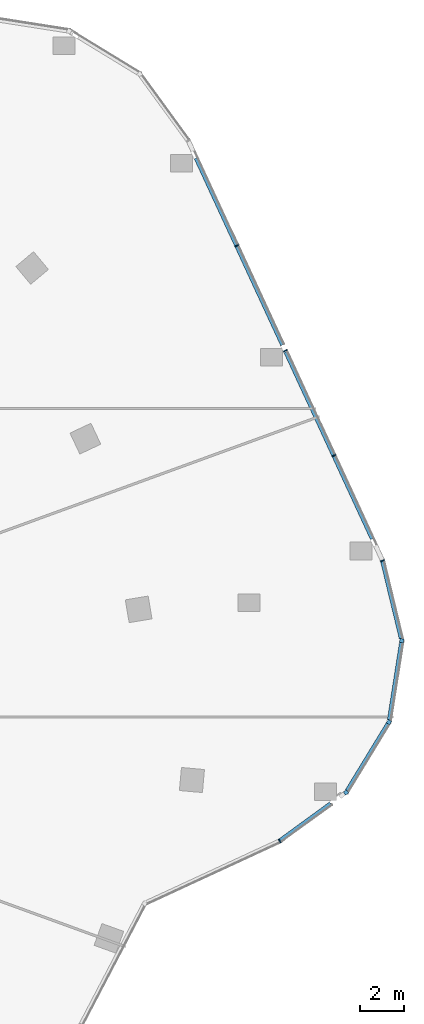
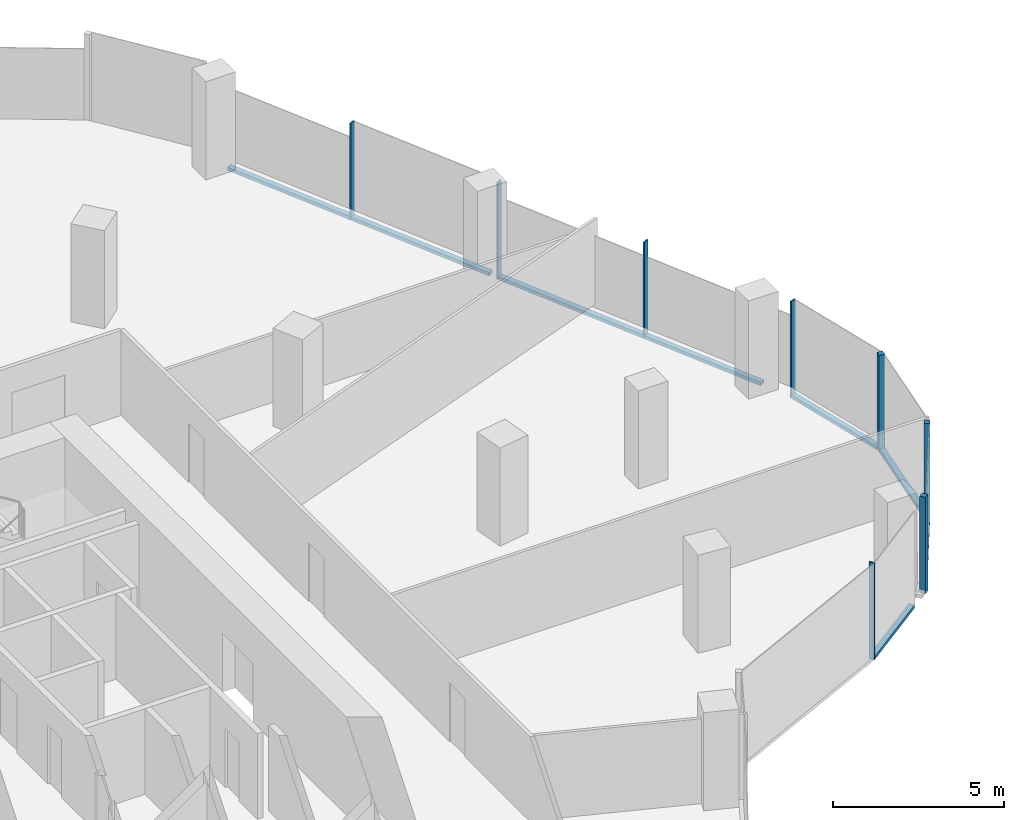
# One storey, part 10 of 24: 14 members, 6 elements without a shape of their own.
"""IFC4 building model written with IfcOpenShell, lengths in metres."""

import ifcopenshell
import ifcopenshell.guid

model = None  # the IFC model being written
_history = None  # IfcOwnerHistory: only IFC2X3 demands one
_inside = {}  # id of a spatial element -> (the spatial element, [elements in it])
_under = {}  # id of a project, library or spatial element -> (it, [spatial elements below it])
_declared = {}  # id of a project -> (the project, [libraries it declares])
_typed = {}  # id of a type object -> (the type object, [elements of that type])
_made_of = {}  # id of a material, layer set ... -> (it, [elements and type objects made of it])


def new_model(schema):
    """Start an empty IFC model of exactly this schema.

    Asked for "IFC4X3", IfcOpenShell would pick the latest addendum, in which some entities
    have other attributes; the version numbers below select the first issue.
    IFC2X3 requires an IfcOwnerHistory on every rooted entity: one is made here for all.
    """
    global model, _history
    if schema == "IFC4X3":
        model = ifcopenshell.file(schema_version=(4, 3, 0, 0))
    else:
        model = ifcopenshell.file(schema=schema)
    _inside.clear()
    _under.clear()
    _declared.clear()
    _typed.clear()
    _made_of.clear()
    _history = None
    if model.schema == "IFC2X3":
        org = make("IfcOrganization", Name="unknown")
        user = make(
            "IfcPersonAndOrganization",
            ThePerson=make("IfcPerson", FamilyName="unknown"),
            TheOrganization=org,
        )
        app = make(
            "IfcApplication",
            ApplicationDeveloper=org,
            Version="unknown",
            ApplicationFullName="unknown",
            ApplicationIdentifier="unknown",
        )
        _history = make(
            "IfcOwnerHistory",
            OwningUser=user,
            OwningApplication=app,
            ChangeAction="ADDED",
            CreationDate=0,
        )
    return model


def make(cls, **values):
    """One entity of the class cls with the attributes given. An attribute that is None is left unset."""
    return model.create_entity(
        cls, **{name: value for name, value in values.items() if value is not None}
    )


def rooted(cls, **values):
    """An entity with a GlobalId (a new one), such as an element, a storey or a relation."""
    return make(cls, GlobalId=ifcopenshell.guid.new(), OwnerHistory=_history, **values)


def si_unit(unit_type, name, prefix=None):
    """IfcSIUnit, for example si_unit("LENGTHUNIT", "METRE", prefix="MILLI")."""
    return make("IfcSIUnit", UnitType=unit_type, Prefix=prefix, Name=name)


def assignment(units):
    """IfcUnitAssignment: the units of a project."""
    return None if units is None else make("IfcUnitAssignment", Units=units)


def point(xyz):
    """IfcCartesianPoint."""
    return None if xyz is None else make("IfcCartesianPoint", Coordinates=xyz)


def direction(xyz):
    """IfcDirection."""
    return None if xyz is None else make("IfcDirection", DirectionRatios=xyz)


def frame(location, z_axis=None, x_axis=None):
    """IfcAxis2Placement3D, a coordinate frame: its origin and axes. An axis left out is left unset."""
    return make(
        "IfcAxis2Placement3D",
        Location=point(location),
        Axis=direction(z_axis),
        RefDirection=direction(x_axis),
    )


def frame_2d(location, x_axis=None):
    """IfcAxis2Placement2D, a coordinate frame in the plane: its origin and x axis."""
    return make(
        "IfcAxis2Placement2D", Location=point(location), RefDirection=direction(x_axis)
    )


def origin():
    """The frame at (0, 0, 0) with its axes left unset."""
    return frame((0.0, 0.0, 0.0))


def origin_2d():
    """The frame at (0, 0) in the plane with its x axis left unset."""
    return frame_2d((0.0, 0.0))


def place(relative_to, where):
    """IfcLocalPlacement: puts the frame where relative to a parent placement (None: the world)."""
    return make(
        "IfcLocalPlacement", PlacementRelTo=relative_to, RelativePlacement=where
    )


def context(
    kind, dimensions, precision=None, world=None, true_north=None, identifier=None
):
    """IfcGeometricRepresentationContext, for example the 3D "Model" context."""
    return make(
        "IfcGeometricRepresentationContext",
        ContextIdentifier=identifier,
        ContextType=kind,
        CoordinateSpaceDimension=dimensions,
        Precision=precision,
        WorldCoordinateSystem=world,
        TrueNorth=true_north,
    )


def subcontext(parent, identifier, kind, view, scale=None):
    """IfcGeometricRepresentationSubContext, for example "Body" below "Model"."""
    return make(
        "IfcGeometricRepresentationSubContext",
        ContextIdentifier=identifier,
        ContextType=kind,
        ParentContext=parent,
        TargetScale=scale,
        TargetView=view,
    )


def project(units=None, contexts=None):
    """IfcProject with its units and contexts."""
    return rooted(
        "IfcProject",
        Name="project",
        RepresentationContexts=contexts,
        UnitsInContext=assignment(units),
    )


def spatial(cls, under=None, at=None, **own):
    """A site, building, storey or space (cls), placed at a placement, below another one or the project."""
    s = rooted(cls, ObjectPlacement=at, **own)
    if under is not None:
        _under.setdefault(under.id(), (under, []))[1].append(s)
    return s


def profile(cls, at=None, kind="AREA", **sizes):
    """A parametric profile (cls). Its sizes go by their IFC names, for example OverallWidth=200.0."""
    return make(cls, ProfileType=kind, Position=at, **sizes)


def rectangle(**sizes):
    """IfcRectangleProfileDef."""
    return profile("IfcRectangleProfileDef", **sizes)


def extrude(swept, where, along, depth):
    """IfcExtrudedAreaSolid: the profile swept, set in the frame where, extruded along a direction by depth."""
    return make(
        "IfcExtrudedAreaSolid",
        SweptArea=swept,
        Position=where,
        ExtrudedDirection=direction(along),
        Depth=depth,
    )


def shape(context_of_items, identifier, shape_type, items):
    """IfcShapeRepresentation: the items that make up one representation, for example the "Body"."""
    return make(
        "IfcShapeRepresentation",
        ContextOfItems=context_of_items,
        RepresentationIdentifier=identifier,
        RepresentationType=shape_type,
        Items=items,
    )


def material(Name=None, Category=None):
    """IfcMaterial."""
    return make("IfcMaterial", Name=Name, Category=Category)


def material_profile(
    of_material, cross_section, Name=None, Category=None, Priority=None
):
    """IfcMaterialProfile: a cross section and its material."""
    return make(
        "IfcMaterialProfile",
        Name=Name,
        Material=of_material,
        Profile=cross_section,
        Priority=Priority,
        Category=Category,
    )


def profile_set(profiles, Name=None, composite=None):
    """IfcMaterialProfileSet."""
    return make(
        "IfcMaterialProfileSet",
        Name=Name,
        MaterialProfiles=profiles,
        CompositeProfile=composite,
    )


def made_of(thing, what):
    """Note that an element or type object is made of a material, layer set ...; save() writes the relation."""
    if what is not None:
        _made_of.setdefault(what.id(), (what, []))[1].append(thing)
    return thing


def type_object(cls, material=None, **own):
    """A type object (cls), such as IfcWallType, which elements share."""
    return made_of(rooted(cls, **own), material)


def element(
    cls,
    number,
    at=None,
    inside=None,
    cuts=None,
    type_object=None,
    material=None,
    context=None,
    identifier="Body",
    shape_type=None,
    held_by="IfcProductDefinitionShape",
    body=None,
    shapes=None,
    **own,
):
    """One element of the class cls, such as IfcWall. Its Tag is "e" and its number.

    at: its placement. inside: the storey or other place that contains it. cuts: it is an
    opening in that element (IfcRelVoidsElement). A single representation is given by context,
    identifier, shape_type and body (its items); several are given by shapes. held_by: the class
    of the entity that holds the representations. save() writes the other relations.
    """
    e = rooted(cls, Tag="e%d" % number, ObjectPlacement=at, **own)
    if body is not None:
        shapes = [shape(context, identifier, shape_type, body)]
    if shapes is not None:
        e.Representation = make(held_by, Representations=shapes)
    if inside is not None:
        _inside.setdefault(inside.id(), (inside, []))[1].append(e)
    if cuts is not None:
        rooted(
            "IfcRelVoidsElement", RelatingBuildingElement=cuts, RelatedOpeningElement=e
        )
    if type_object is not None:
        _typed.setdefault(type_object.id(), (type_object, []))[1].append(e)
    return made_of(e, material)


def aggregate(whole, parts):
    """IfcRelAggregates: a whole, such as a stair, and the parts it consists of."""
    return rooted("IfcRelAggregates", RelatingObject=whole, RelatedObjects=parts)


def save(model, path):
    """Write the relations noted so far, then the file.

    IfcRelAggregates (storeys below a building ...), IfcRelContainedInSpatialStructure (elements
    in a storey), IfcRelDefinesByType, IfcRelAssociatesMaterial and IfcRelDeclares: one each for
    every whole, place, type object, material and project.
    """
    for whole, parts in _under.values():
        aggregate(whole, parts)
    for where, things in _inside.values():
        rooted(
            "IfcRelContainedInSpatialStructure",
            RelatedElements=things,
            RelatingStructure=where,
        )
    for kind, things in _typed.values():
        rooted("IfcRelDefinesByType", RelatedObjects=things, RelatingType=kind)
    for what, things in _made_of.values():
        rooted("IfcRelAssociatesMaterial", RelatedObjects=things, RelatingMaterial=what)
    for by, libraries in _declared.values():
        rooted("IfcRelDeclares", RelatingContext=by, RelatedDefinitions=libraries)
    model.write(path)


model = new_model("IFC4")

# Units and contexts
model_context = context("Model", 3, precision=1e-05, world=origin(), true_north=direction((0.0, 1.0)))
body_context = subcontext(model_context, "Body", "Model", "MODEL_VIEW")
ifc_project = project(units=[si_unit("LENGTHUNIT", "METRE"), si_unit("AREAUNIT", "SQUARE_METRE"), si_unit("VOLUMEUNIT", "CUBIC_METRE"), si_unit("PLANEANGLEUNIT", "RADIAN"), si_unit("MASSUNIT", "GRAM", prefix="KILO")], contexts=[model_context])

# Site, building, storey
site_placement = place(None, origin())
site = spatial("IfcSite", under=ifc_project, at=site_placement, CompositionType="ELEMENT")
building_placement = place(site_placement, origin())
building = spatial("IfcBuilding", under=site, at=building_placement, Name="Orlundy Tower", CompositionType="ELEMENT")
storey_placement = place(building_placement, frame((0.0, 0.0, 267.5)))
storey = spatial("IfcBuildingStorey", under=building, at=storey_placement, Name="L71", CompositionType="ELEMENT", Elevation=267.5)

# Curtain wall, member
ifc_material_1 = material(Name="Aluminium bronze anodised", Category="aluminium")
curtain_wall_type = type_object("IfcCurtainWallType", Name="CW1 wall", PredefinedType="NOTDEFINED", material=ifc_material_1)
curtain_wall_1_placement = place(storey_placement, origin())
curtain_wall_1 = element("IfcCurtainWall", 1, at=curtain_wall_1_placement, inside=storey, type_object=curtain_wall_type, Name="CW1 run 17", PredefinedType="NOTDEFINED")
ifc_material_2 = material(Name="Aluminium bronze anodised", Category="aluminium")
ifc_material_profile_1 = material_profile(ifc_material_2, rectangle(XDim=0.179931640625, YDim=0.179931640625, at=origin_2d()), Name="CW1 corner post 180x180")
ifc_profile_set_1 = profile_set([ifc_material_profile_1], Name="Aluminium bronze anodised")
member_type_1 = type_object("IfcMemberType", Name="CW1 corner post 180x180", PredefinedType="MULLION", material=ifc_profile_set_1)
member_1_placement = place(storey_placement, frame((41.2197265625, 3.460693359375, -0.39990234375), z_axis=(0.0, 0.0, 1.0), x_axis=(0.987896030416, -0.15511748157, 0.0)))
member_1 = element("IfcMember", 2, at=member_1_placement, type_object=member_type_1, Name="CW1 mullion 12", PredefinedType="MULLION", context=body_context, shape_type="SweptSolid", body=[
    extrude(rectangle(XDim=0.179931640625, YDim=0.179931640625, at=origin_2d()), origin(), (0.0, 0.0, 1.0), 3.449951171875),
])

curtain_wall_2_placement = place(storey_placement, origin())
curtain_wall_2 = element("IfcCurtainWall", 3, at=curtain_wall_2_placement, inside=storey, type_object=curtain_wall_type, Name="CW1 run 18", PredefinedType="NOTDEFINED")
member_2_placement = place(storey_placement, frame((40.63916015625, -0.236572265625, -0.39990234375), z_axis=(0.0, 0.0, 1.0), x_axis=(0.85339519248, -0.521264467859, 0.0)))
member_2 = element("IfcMember", 4, at=member_2_placement, type_object=member_type_1, Name="CW1 mullion 13", PredefinedType="MULLION", context=body_context, shape_type="SweptSolid", body=[
    extrude(rectangle(XDim=0.179931640625, YDim=0.179931640625, at=origin_2d()), origin(), (0.0, 0.0, 1.0), 3.449951171875),
])

curtain_wall_3_placement = place(storey_placement, origin())
curtain_wall_3 = element("IfcCurtainWall", 5, at=curtain_wall_3_placement, inside=storey, type_object=curtain_wall_type, Name="CW1 run 19", PredefinedType="NOTDEFINED")
member_3_placement = place(storey_placement, frame((38.6884765625, -3.43017578125, -0.39990234375), z_axis=(0.0, 0.0, 1.0), x_axis=(0.58902167687, -0.808117234179, 0.0)))
member_3 = element("IfcMember", 6, at=member_3_placement, type_object=member_type_1, Name="CW1 mullion 14", PredefinedType="MULLION", context=body_context, shape_type="SweptSolid", body=[
    extrude(rectangle(XDim=0.179931640625, YDim=0.179931640625, at=origin_2d()), origin(), (0.0, 0.0, 1.0), 3.449951171875),
])

# Curtain wall, members
curtain_wall_4_placement = place(storey_placement, origin())
curtain_wall_4 = element("IfcCurtainWall", 7, at=curtain_wall_4_placement, inside=storey, type_object=curtain_wall_type, Name="CW1 run 15", PredefinedType="NOTDEFINED")
ifc_material_3 = material(Name="Aluminium bronze anodised", Category="aluminium")
ifc_material_profile_2 = material_profile(ifc_material_3, rectangle(XDim=0.179931640625, YDim=0.050048828125, at=origin_2d()), Name="CW1 mullion 50x180")
ifc_profile_set_2 = profile_set([ifc_material_profile_2], Name="Aluminium bronze anodised")
member_type_2 = type_object("IfcMemberType", Name="CW1 mullion 50x180", PredefinedType="MULLION", material=ifc_profile_set_2)
member_4_placement = place(storey_placement, frame((33.724365234375, 21.391357421875, -0.39990234375), z_axis=(0.0, 0.0, 1.0), x_axis=(0.907542202358, 0.419960892154, 0.0)))
member_4 = element("IfcMember", 8, at=member_4_placement, type_object=member_type_2, Name="CW1 mullion 8", PredefinedType="MULLION", context=body_context, shape_type="SweptSolid", body=[
    extrude(rectangle(XDim=0.179931640625, YDim=0.050048828125, at=origin_2d()), origin(), (0.0, 0.0, 1.0), 3.449951171875),
])
member_5_placement = place(storey_placement, frame((35.92919921875, 16.626708984375, -0.39990234375), z_axis=(0.0, 0.0, 1.0), x_axis=(0.907542202358, 0.419960892154, 0.0)))
member_5 = element("IfcMember", 9, at=member_5_placement, type_object=member_type_2, Name="CW1 mullion 9", PredefinedType="MULLION", context=body_context, shape_type="SweptSolid", body=[
    extrude(rectangle(XDim=0.179931640625, YDim=0.050048828125, at=origin_2d()), origin(), (0.0, 0.0, 1.0), 3.449951171875),
])
member_6_placement = place(storey_placement, frame((38.134033203125, 11.8623046875, -0.39990234375), z_axis=(0.0, 0.0, 1.0), x_axis=(0.907542202358, 0.419960892154, 0.0)))
member_6 = element("IfcMember", 10, at=member_6_placement, type_object=member_type_2, Name="CW1 mullion 10", PredefinedType="MULLION", context=body_context, shape_type="SweptSolid", body=[
    extrude(rectangle(XDim=0.179931640625, YDim=0.050048828125, at=origin_2d()), origin(), (0.0, 0.0, 1.0), 3.449951171875),
])

# Curtain wall, member
curtain_wall_5_placement = place(storey_placement, origin())
curtain_wall_5 = element("IfcCurtainWall", 11, at=curtain_wall_5_placement, inside=storey, type_object=curtain_wall_type, Name="CW1 run 16", PredefinedType="NOTDEFINED")
member_7_placement = place(storey_placement, frame((40.34228515625, 7.08984375, -0.39990234375), z_axis=(0.0, 0.0, 1.0), x_axis=(0.944312521745, 0.329049937357, 0.0)))
member_7 = element("IfcMember", 12, at=member_7_placement, type_object=member_type_2, Name="CW1 mullion 11", PredefinedType="MULLION", context=body_context, shape_type="SweptSolid", body=[
    extrude(rectangle(XDim=0.179931640625, YDim=0.050048828125, at=origin_2d()), origin(), (0.0, 0.0, 1.0), 3.449951171875),
])

curtain_wall_6_placement = place(storey_placement, origin())
curtain_wall_6 = element("IfcCurtainWall", 13, at=curtain_wall_6_placement, inside=storey, type_object=curtain_wall_type, Name="CW1 run 110", PredefinedType="NOTDEFINED")
member_8_placement = place(storey_placement, frame((35.671875, -5.62890625, -0.39990234375), z_axis=(0.0, 0.0, 1.0), x_axis=(0.506927615096, -0.861988626986, 0.0)))
member_8 = element("IfcMember", 14, at=member_8_placement, type_object=member_type_2, Name="CW1 mullion 15", PredefinedType="MULLION", context=body_context, shape_type="SweptSolid", body=[
    extrude(rectangle(XDim=0.179931640625, YDim=0.050048828125, at=origin_2d()), origin(), (0.0, 0.0, 1.0), 3.449951171875),
])
aggregate(curtain_wall_6, [member_8])

# Member
ifc_material_4 = material(Name="Aluminium bronze anodised", Category="aluminium")
ifc_material_profile_3 = material_profile(ifc_material_4, rectangle(XDim=0.179931640625, YDim=0.1201171875, at=origin_2d()), Name="CW1 transom 180x120")
ifc_profile_set_3 = profile_set([ifc_material_profile_3], Name="Aluminium bronze anodised")
member_type_3 = type_object("IfcMemberType", Name="CW1 transom 180x120", PredefinedType="USERDEFINED", material=ifc_profile_set_3)
member_9_placement = place(storey_placement, frame((31.87890625, 25.37939453125, -0.340087890625), z_axis=(0.419969586538, -0.907538179022, 0.0), x_axis=(0.907538179022, 0.419969586538, 0.0)))
member_9 = element("IfcMember", 15, at=member_9_placement, type_object=member_type_3, Name="CW1 transom", ObjectType="TRANSOM", PredefinedType="USERDEFINED", context=body_context, shape_type="SweptSolid", body=[
    extrude(rectangle(XDim=0.179931640625, YDim=0.1201171875, at=origin_2d()), origin(), (0.0, 0.0, 1.0), 9.357666015625),
])

member_10_placement = place(storey_placement, frame((35.952880859375, 16.575439453125, -0.340087890625), z_axis=(0.419966384997, -0.907539660551, 0.0), x_axis=(0.907539660551, 0.419966384997, 0.0)))
member_10 = element("IfcMember", 16, at=member_10_placement, type_object=member_type_3, Name="CW1 transom", ObjectType="TRANSOM", PredefinedType="USERDEFINED", context=body_context, shape_type="SweptSolid", body=[
    extrude(rectangle(XDim=0.179931640625, YDim=0.1201171875, at=origin_2d()), origin(), (0.0, 0.0, 1.0), 9.3564453125),
])

aggregate(curtain_wall_4, [member_4, member_5, member_6, member_9, member_10])

member_11_placement = place(storey_placement, frame((40.348388671875, 7.0654296875, -0.340087890625), z_axis=(0.23494012712, -0.972009843916, 0.0), x_axis=(0.972009843916, 0.23494012712, 0.0)))
member_11 = element("IfcMember", 17, at=member_11_placement, type_object=member_type_3, Name="CW1 transom", ObjectType="TRANSOM", PredefinedType="USERDEFINED", context=body_context, shape_type="SweptSolid", body=[
    extrude(rectangle(XDim=0.179931640625, YDim=0.1201171875, at=origin_2d()), origin(), (0.0, 0.0, 1.0), 3.611083984375),
])

aggregate(curtain_wall_5, [member_7, member_11])

member_12_placement = place(storey_placement, frame((41.205810546875, 3.371826171875, -0.340087890625), z_axis=(-0.155126778463, -0.987894570591, 0.0), x_axis=(0.987894570591, -0.155126778463, 0.0)))
member_12 = element("IfcMember", 18, at=member_12_placement, type_object=member_type_3, Name="CW1 transom", ObjectType="TRANSOM", PredefinedType="USERDEFINED", context=body_context, shape_type="SweptSolid", body=[
    extrude(rectangle(XDim=0.179931640625, YDim=0.1201171875, at=origin_2d()), origin(), (0.0, 0.0, 1.0), 3.55517578125),
])

aggregate(curtain_wall_1, [member_1, member_12])

member_13_placement = place(storey_placement, frame((40.59228515625, -0.3134765625, -0.340087890625), z_axis=(-0.521266650084, -0.853393859545, 0.0), x_axis=(0.853393859545, -0.521266650084, 0.0)))
member_13 = element("IfcMember", 19, at=member_13_placement, type_object=member_type_3, Name="CW1 transom", ObjectType="TRANSOM", PredefinedType="USERDEFINED", context=body_context, shape_type="SweptSolid", body=[
    extrude(rectangle(XDim=0.179931640625, YDim=0.1201171875, at=origin_2d()), origin(), (0.0, 0.0, 1.0), 3.554931640625),
])

aggregate(curtain_wall_2, [member_2, member_13])

member_14_placement = place(storey_placement, frame((37.989013671875, -3.93994140625, -0.340087890625), z_axis=(-0.808089302915, -0.589059995683, 0.0), x_axis=(0.589059995683, -0.808089302915, 0.0)))
member_14 = element("IfcMember", 20, at=member_14_placement, type_object=member_type_3, Name="CW1 transom", ObjectType="TRANSOM", PredefinedType="USERDEFINED", context=body_context, shape_type="SweptSolid", body=[
    extrude(rectangle(XDim=0.179931640625, YDim=0.1201171875, at=origin_2d()), origin(), (0.0, 0.0, 1.0), 2.84228515625),
])

aggregate(curtain_wall_3, [member_3, member_14])

save(model, "model.ifc")
